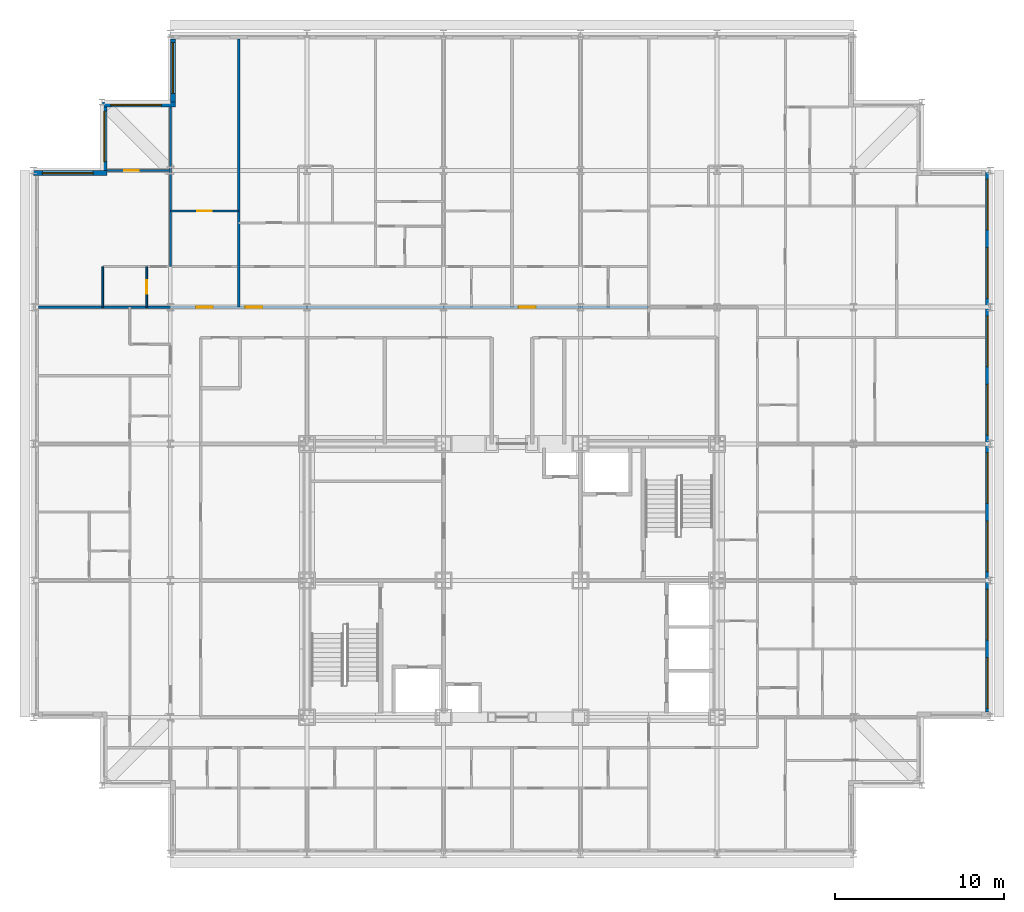
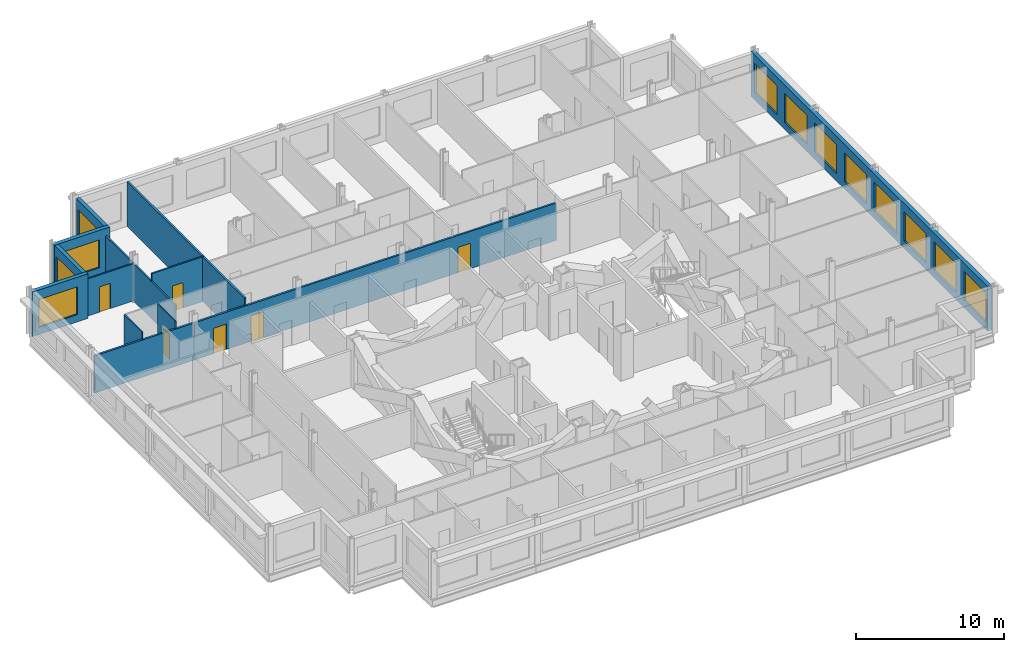
# One storey, part 12 of 16: 13 walls, 12 windows, 6 doors, 18 openings.
"""IFC4 building model written with IfcOpenShell, lengths in metres."""

import ifcopenshell
import ifcopenshell.guid

model = None  # the IFC model being written
_history = None  # IfcOwnerHistory: only IFC2X3 demands one
_inside = {}  # id of a spatial element -> (the spatial element, [elements in it])
_under = {}  # id of a project, library or spatial element -> (it, [spatial elements below it])
_declared = {}  # id of a project -> (the project, [libraries it declares])
_typed = {}  # id of a type object -> (the type object, [elements of that type])
_made_of = {}  # id of a material, layer set ... -> (it, [elements and type objects made of it])


def new_model(schema):
    """Start an empty IFC model of exactly this schema.

    Asked for "IFC4X3", IfcOpenShell would pick the latest addendum, in which some entities
    have other attributes; the version numbers below select the first issue.
    IFC2X3 requires an IfcOwnerHistory on every rooted entity: one is made here for all.
    """
    global model, _history
    if schema == "IFC4X3":
        model = ifcopenshell.file(schema_version=(4, 3, 0, 0))
    else:
        model = ifcopenshell.file(schema=schema)
    _inside.clear()
    _under.clear()
    _declared.clear()
    _typed.clear()
    _made_of.clear()
    _history = None
    if model.schema == "IFC2X3":
        org = make("IfcOrganization", Name="unknown")
        user = make(
            "IfcPersonAndOrganization",
            ThePerson=make("IfcPerson", FamilyName="unknown"),
            TheOrganization=org,
        )
        app = make(
            "IfcApplication",
            ApplicationDeveloper=org,
            Version="unknown",
            ApplicationFullName="unknown",
            ApplicationIdentifier="unknown",
        )
        _history = make(
            "IfcOwnerHistory",
            OwningUser=user,
            OwningApplication=app,
            ChangeAction="ADDED",
            CreationDate=0,
        )
    return model


def make(cls, **values):
    """One entity of the class cls with the attributes given. An attribute that is None is left unset."""
    return model.create_entity(
        cls, **{name: value for name, value in values.items() if value is not None}
    )


def rooted(cls, **values):
    """An entity with a GlobalId (a new one), such as an element, a storey or a relation."""
    return make(cls, GlobalId=ifcopenshell.guid.new(), OwnerHistory=_history, **values)


def si_unit(unit_type, name, prefix=None):
    """IfcSIUnit, for example si_unit("LENGTHUNIT", "METRE", prefix="MILLI")."""
    return make("IfcSIUnit", UnitType=unit_type, Prefix=prefix, Name=name)


def assignment(units):
    """IfcUnitAssignment: the units of a project."""
    return None if units is None else make("IfcUnitAssignment", Units=units)


def point(xyz):
    """IfcCartesianPoint."""
    return None if xyz is None else make("IfcCartesianPoint", Coordinates=xyz)


def direction(xyz):
    """IfcDirection."""
    return None if xyz is None else make("IfcDirection", DirectionRatios=xyz)


def frame(location, z_axis=None, x_axis=None):
    """IfcAxis2Placement3D, a coordinate frame: its origin and axes. An axis left out is left unset."""
    return make(
        "IfcAxis2Placement3D",
        Location=point(location),
        Axis=direction(z_axis),
        RefDirection=direction(x_axis),
    )


def frame_2d(location, x_axis=None):
    """IfcAxis2Placement2D, a coordinate frame in the plane: its origin and x axis."""
    return make(
        "IfcAxis2Placement2D", Location=point(location), RefDirection=direction(x_axis)
    )


def origin():
    """The frame at (0, 0, 0) with its axes left unset."""
    return frame((0.0, 0.0, 0.0))


def place(relative_to, where):
    """IfcLocalPlacement: puts the frame where relative to a parent placement (None: the world)."""
    return make(
        "IfcLocalPlacement", PlacementRelTo=relative_to, RelativePlacement=where
    )


def context(
    kind, dimensions, precision=None, world=None, true_north=None, identifier=None
):
    """IfcGeometricRepresentationContext, for example the 3D "Model" context."""
    return make(
        "IfcGeometricRepresentationContext",
        ContextIdentifier=identifier,
        ContextType=kind,
        CoordinateSpaceDimension=dimensions,
        Precision=precision,
        WorldCoordinateSystem=world,
        TrueNorth=true_north,
    )


def subcontext(parent, identifier, kind, view, scale=None):
    """IfcGeometricRepresentationSubContext, for example "Body" below "Model"."""
    return make(
        "IfcGeometricRepresentationSubContext",
        ContextIdentifier=identifier,
        ContextType=kind,
        ParentContext=parent,
        TargetScale=scale,
        TargetView=view,
    )


def project(units=None, contexts=None):
    """IfcProject with its units and contexts."""
    return rooted(
        "IfcProject",
        Name="project",
        RepresentationContexts=contexts,
        UnitsInContext=assignment(units),
    )


def spatial(cls, under=None, at=None, **own):
    """A site, building, storey or space (cls), placed at a placement, below another one or the project."""
    s = rooted(cls, ObjectPlacement=at, **own)
    if under is not None:
        _under.setdefault(under.id(), (under, []))[1].append(s)
    return s


def profile(cls, at=None, kind="AREA", **sizes):
    """A parametric profile (cls). Its sizes go by their IFC names, for example OverallWidth=200.0."""
    return make(cls, ProfileType=kind, Position=at, **sizes)


def rectangle(**sizes):
    """IfcRectangleProfileDef."""
    return profile("IfcRectangleProfileDef", **sizes)


def extrude(swept, where, along, depth):
    """IfcExtrudedAreaSolid: the profile swept, set in the frame where, extruded along a direction by depth."""
    return make(
        "IfcExtrudedAreaSolid",
        SweptArea=swept,
        Position=where,
        ExtrudedDirection=direction(along),
        Depth=depth,
    )


def shape(context_of_items, identifier, shape_type, items):
    """IfcShapeRepresentation: the items that make up one representation, for example the "Body"."""
    return make(
        "IfcShapeRepresentation",
        ContextOfItems=context_of_items,
        RepresentationIdentifier=identifier,
        RepresentationType=shape_type,
        Items=items,
    )


def material(Name=None, Category=None):
    """IfcMaterial."""
    return make("IfcMaterial", Name=Name, Category=Category)


def layer(
    of_material, thickness, ventilated=None, Name=None, Category=None, Priority=None
):
    """IfcMaterialLayer: one layer of a wall or slab, of a material (None: an air gap)."""
    return make(
        "IfcMaterialLayer",
        Material=of_material,
        LayerThickness=thickness,
        IsVentilated=ventilated,
        Name=Name,
        Category=Category,
        Priority=Priority,
    )


def layer_set(layers, Name=None):
    """IfcMaterialLayerSet."""
    return make("IfcMaterialLayerSet", MaterialLayers=layers, LayerSetName=Name)


def made_of(thing, what):
    """Note that an element or type object is made of a material, layer set ...; save() writes the relation."""
    if what is not None:
        _made_of.setdefault(what.id(), (what, []))[1].append(thing)
    return thing


def type_object(cls, material=None, **own):
    """A type object (cls), such as IfcWallType, which elements share."""
    return made_of(rooted(cls, **own), material)


def element(
    cls,
    number,
    at=None,
    inside=None,
    cuts=None,
    type_object=None,
    material=None,
    context=None,
    identifier="Body",
    shape_type=None,
    held_by="IfcProductDefinitionShape",
    body=None,
    shapes=None,
    **own,
):
    """One element of the class cls, such as IfcWall. Its Tag is "e" and its number.

    at: its placement. inside: the storey or other place that contains it. cuts: it is an
    opening in that element (IfcRelVoidsElement). A single representation is given by context,
    identifier, shape_type and body (its items); several are given by shapes. held_by: the class
    of the entity that holds the representations. save() writes the other relations.
    """
    e = rooted(cls, Tag="e%d" % number, ObjectPlacement=at, **own)
    if body is not None:
        shapes = [shape(context, identifier, shape_type, body)]
    if shapes is not None:
        e.Representation = make(held_by, Representations=shapes)
    if inside is not None:
        _inside.setdefault(inside.id(), (inside, []))[1].append(e)
    if cuts is not None:
        rooted(
            "IfcRelVoidsElement", RelatingBuildingElement=cuts, RelatedOpeningElement=e
        )
    if type_object is not None:
        _typed.setdefault(type_object.id(), (type_object, []))[1].append(e)
    return made_of(e, material)


def fill(opening, filler):
    """IfcRelFillsElement: the door or window that sits in an opening."""
    return rooted(
        "IfcRelFillsElement",
        RelatingOpeningElement=opening,
        RelatedBuildingElement=filler,
    )


def aggregate(whole, parts):
    """IfcRelAggregates: a whole, such as a stair, and the parts it consists of."""
    return rooted("IfcRelAggregates", RelatingObject=whole, RelatedObjects=parts)


def save(model, path):
    """Write the relations noted so far, then the file.

    IfcRelAggregates (storeys below a building ...), IfcRelContainedInSpatialStructure (elements
    in a storey), IfcRelDefinesByType, IfcRelAssociatesMaterial and IfcRelDeclares: one each for
    every whole, place, type object, material and project.
    """
    for whole, parts in _under.values():
        aggregate(whole, parts)
    for where, things in _inside.values():
        rooted(
            "IfcRelContainedInSpatialStructure",
            RelatedElements=things,
            RelatingStructure=where,
        )
    for kind, things in _typed.values():
        rooted("IfcRelDefinesByType", RelatedObjects=things, RelatingType=kind)
    for what, things in _made_of.values():
        rooted("IfcRelAssociatesMaterial", RelatedObjects=things, RelatingMaterial=what)
    for by, libraries in _declared.values():
        rooted("IfcRelDeclares", RelatingContext=by, RelatedDefinitions=libraries)
    model.write(path)


model = new_model("IFC4")

# Units and contexts
model_context = context("Model", 3, precision=1e-05, world=origin(), true_north=direction((0.0, 1.0)))
body_context = subcontext(model_context, "Body", "Model", "MODEL_VIEW")
ifc_project = project(units=[si_unit("LENGTHUNIT", "METRE"), si_unit("AREAUNIT", "SQUARE_METRE"), si_unit("VOLUMEUNIT", "CUBIC_METRE"), si_unit("PLANEANGLEUNIT", "RADIAN"), si_unit("MASSUNIT", "GRAM", prefix="KILO")], contexts=[model_context])

# Site, building, storey
site_placement = place(None, origin())
site = spatial("IfcSite", under=ifc_project, at=site_placement, CompositionType="ELEMENT")
building_placement = place(site_placement, origin())
building = spatial("IfcBuilding", under=site, at=building_placement, Name="Kopane Lantern Tower", CompositionType="ELEMENT")
storey_placement = place(building_placement, frame((0.0, 0.0, 258.0)))
storey = spatial("IfcBuildingStorey", under=building, at=storey_placement, Name="L66", CompositionType="ELEMENT", Elevation=258.0)

# Wall
ifc_material_1 = material(Name="Gypsum board on steel studs", Category="steel")
ifc_layer_1 = layer(ifc_material_1, 0.1201171875)
ifc_layer_set_1 = layer_set([ifc_layer_1], Name="APARTMENT INTERNAL WALL 120")
wall_type_1 = type_object("IfcWallType", Name="APARTMENT INTERNAL WALL 120", PredefinedType="PARTITIONING", material=ifc_layer_set_1)
wall_1_placement = place(storey_placement, frame((8.10009765625, 51.0, 0.0), z_axis=(0.0, 0.0, 1.0), x_axis=(0.0, 1.0, 0.0)))
element("IfcWall", 1, at=wall_1_placement, inside=storey, type_object=wall_type_1, Name="Apartment Internal Wall 120 L66", PredefinedType="PARTITIONING", context=body_context, shape_type="SweptSolid", body=[
    extrude(rectangle(XDim=9.449951171875, YDim=0.1201171875, at=frame_2d((4.72509765625, 0.0))), origin(), (0.0, 0.0, 1.0), 3.077880859375),
])

# Wall, opening, door
wall_2_placement = place(storey_placement, frame((8.10009765625, 56.699951171875, 0.0), z_axis=(0.0, 0.0, 1.0), x_axis=(-1.0, 0.0, 0.0)))
wall_2 = element("IfcWall", 2, at=wall_2_placement, inside=storey, type_object=wall_type_1, Name="Apartment Internal Wall 120 L66", PredefinedType="PARTITIONING", context=body_context, shape_type="SweptSolid", body=[
    extrude(rectangle(XDim=3.75, YDim=0.1201171875, at=frame_2d((1.875, 0.0))), origin(), (0.0, 0.0, 1.0), 3.077880859375),
])
opening_1_placement = place(wall_2_placement, frame((1.875, 0.0, 0.0)))
opening_1 = element("IfcOpeningElement", 3, at=opening_1_placement, cuts=wall_2, Name="Opening L66-047", PredefinedType="OPENING", context=body_context, shape_type="SweptSolid", body=[
    extrude(rectangle(XDim=0.85009765625, YDim=2.10009765625, at=frame_2d((0.425048828125, 1.050048828125))), frame((0.0, 0.070068359375, 0.0), z_axis=(0.0, -1.0, 0.0), x_axis=(1.0, 0.0, 0.0)), (0.0, 0.0, 1.0), 0.14013671875),
])
ifc_material_2 = material(Name="Timber door set", Category="wood")
door_type_1 = type_object("IfcDoorType", Name="DOOR D4 850x2100", OperationType="SINGLE_SWING_LEFT", PredefinedType="DOOR", material=ifc_material_2)
door_1_placement = place(opening_1_placement, origin())
door_1 = element("IfcDoor", 4, at=door_1_placement, inside=storey, type_object=door_type_1, Name="Door L66-047", OperationType="SINGLE_SWING_LEFT", OverallHeight=2.10009765625, OverallWidth=0.85009765625, PredefinedType="DOOR", context=body_context, shape_type="SweptSolid", body=[
    extrude(rectangle(XDim=0.85009765625, YDim=2.10009765625, at=frame_2d((0.425048828125, 1.050048828125))), frame((0.0, 0.02490234375, 0.0), z_axis=(0.0, -1.0, 0.0), x_axis=(1.0, 0.0, 0.0)), (0.0, 0.0, 1.0), 0.050048828125),
])
fill(opening_1, door_1)

wall_3_placement = place(storey_placement, frame((8.10009765625, 54.300048828125, 0.0), z_axis=(0.0, 0.0, 1.0), x_axis=(1.0, 0.0, 0.0)))
wall_3 = element("IfcWall", 5, at=wall_3_placement, inside=storey, type_object=wall_type_1, Name="Apartment Internal Wall 120 L66", PredefinedType="PARTITIONING", context=body_context, shape_type="SweptSolid", body=[
    extrude(rectangle(XDim=4.0498046875, YDim=0.1201171875, at=frame_2d((2.02490234375, 0.0))), origin(), (0.0, 0.0, 1.0), 3.68994140625),
])
opening_2_placement = place(wall_3_placement, frame((1.60009765625, 0.0, 0.0)))
opening_2 = element("IfcOpeningElement", 6, at=opening_2_placement, cuts=wall_3, Name="Opening L66-075", PredefinedType="OPENING", context=body_context, shape_type="SweptSolid", body=[
    extrude(rectangle(XDim=0.85009765625, YDim=2.10009765625, at=frame_2d((0.425048828125, 1.050048828125))), frame((0.0, 0.070068359375, 0.0), z_axis=(0.0, -1.0, 0.0), x_axis=(1.0, 0.0, 0.0)), (0.0, 0.0, 1.0), 0.14013671875),
])
door_2_placement = place(opening_2_placement, origin())
door_2 = element("IfcDoor", 7, at=door_2_placement, inside=storey, type_object=door_type_1, Name="Door L66-075", OperationType="SINGLE_SWING_RIGHT", OverallHeight=2.10009765625, OverallWidth=0.85009765625, PredefinedType="DOOR", context=body_context, shape_type="SweptSolid", body=[
    extrude(rectangle(XDim=0.85009765625, YDim=2.10009765625, at=frame_2d((0.425048828125, 1.050048828125))), frame((0.0, 0.02490234375, 0.0), z_axis=(0.0, -1.0, 0.0), x_axis=(1.0, 0.0, 0.0)), (0.0, 0.0, 1.0), 0.050048828125),
])
fill(opening_2, door_2)

ifc_material_3 = material(Name="Moisture-resistant board on steel studs", Category="steel")
ifc_layer_2 = layer(ifc_material_3, 0.10009765625)
ifc_layer_set_2 = layer_set([ifc_layer_2], Name="BATHROOM WALL 100")
wall_type_2 = type_object("IfcWallType", Name="BATHROOM WALL 100", PredefinedType="PARTITIONING", material=ifc_layer_set_2)
wall_4_placement = place(storey_placement, frame((6.699951171875, 48.60009765625, 0.0), z_axis=(0.0, 0.0, 1.0), x_axis=(0.0, 1.0, 0.0)))
wall_4 = element("IfcWall", 8, at=wall_4_placement, inside=storey, type_object=wall_type_2, Name="Bathroom Wall 100 L66", PredefinedType="PARTITIONING", context=body_context, shape_type="SweptSolid", body=[
    extrude(rectangle(XDim=2.39990234375, YDim=0.10009765625, at=frame_2d((1.199951171875, 0.0))), origin(), (0.0, 0.0, 1.0), 3.68994140625),
])
opening_3_placement = place(wall_4_placement, frame((0.800048828125, 0.0, 0.0)))
opening_3 = element("IfcOpeningElement", 9, at=opening_3_placement, cuts=wall_4, Name="Opening L66-045", PredefinedType="OPENING", context=body_context, shape_type="SweptSolid", body=[
    extrude(rectangle(XDim=0.800048828125, YDim=2.10009765625, at=frame_2d((0.39990234375, 1.050048828125))), frame((0.0, 0.06005859375, 0.0), z_axis=(0.0, -1.0, 0.0), x_axis=(1.0, 0.0, 0.0)), (0.0, 0.0, 1.0), 0.1201171875),
])
ifc_material_4 = material(Name="Timber door set", Category="wood")
door_type_2 = type_object("IfcDoorType", Name="DOOR D2 800x2100", OperationType="SINGLE_SWING_LEFT", PredefinedType="DOOR", material=ifc_material_4)
door_3_placement = place(opening_3_placement, origin())
door_3 = element("IfcDoor", 10, at=door_3_placement, inside=storey, type_object=door_type_2, Name="Door L66-045", OperationType="SINGLE_SWING_LEFT", OverallHeight=2.10009765625, OverallWidth=0.800048828125, PredefinedType="DOOR", context=body_context, shape_type="SweptSolid", body=[
    extrude(rectangle(XDim=0.800048828125, YDim=2.10009765625, at=frame_2d((0.39990234375, 1.050048828125))), frame((0.0, 0.02490234375, 0.0), z_axis=(0.0, -1.0, 0.0), x_axis=(1.0, 0.0, 0.0)), (0.0, 0.0, 1.0), 0.050048828125),
])
fill(opening_3, door_3)

# Wall
wall_5_placement = place(storey_placement, frame((4.10009765625, 48.60009765625, 0.0), z_axis=(0.0, 0.0, 1.0), x_axis=(0.0, 1.0, 0.0)))
element("IfcWall", 11, at=wall_5_placement, inside=storey, type_object=wall_type_2, Name="Bathroom Wall 100 L66", PredefinedType="PARTITIONING", context=body_context, shape_type="SweptSolid", body=[
    extrude(rectangle(XDim=2.39990234375, YDim=0.10009765625, at=frame_2d((1.199951171875, 0.0))), origin(), (0.0, 0.0, 1.0), 3.68994140625),
])

# Wall, openings, doors
ifc_material_5 = material(Name="Gypsum board on steel studs", Category="steel")
ifc_layer_3 = layer(ifc_material_5, 0.14990234375)
ifc_layer_set_3 = layer_set([ifc_layer_3], Name="CORRIDOR WALL 150 EI 60")
wall_type_3 = type_object("IfcWallType", Name="CORRIDOR WALL 150 EI 60", PredefinedType="PARTITIONING", material=ifc_layer_set_3)
wall_6_placement = place(storey_placement, frame((8.10009765625, 48.60009765625, 0.0), z_axis=(0.0, 0.0, 1.0), x_axis=(1.0, 0.0, 0.0)))
wall_6 = element("IfcWall", 12, at=wall_6_placement, inside=storey, type_object=wall_type_3, Name="Corridor Wall 150 Ei 60 L66", PredefinedType="PARTITIONING", context=body_context, shape_type="SweptSolid", body=[
    extrude(rectangle(XDim=28.349853515625, YDim=0.14990234375, at=frame_2d((14.1748046875, 0.0))), origin(), (0.0, 0.0, 1.0), 3.077880859375),
])
opening_4_placement = place(wall_6_placement, frame((4.449951171875, 0.0, 0.0)))
opening_4 = element("IfcOpeningElement", 13, at=opening_4_placement, cuts=wall_6, Name="Opening L66-022", PredefinedType="OPENING", context=body_context, shape_type="SweptSolid", body=[
    extrude(rectangle(XDim=1.0, YDim=2.10009765625, at=frame_2d((0.5, 1.050048828125))), frame((0.0, 0.0849609375, 0.0), z_axis=(0.0, -1.0, 0.0), x_axis=(1.0, 0.0, 0.0)), (0.0, 0.0, 1.0), 0.169921875),
])
opening_5_placement = place(wall_6_placement, frame((20.64990234375, 0.0, 0.0)))
opening_5 = element("IfcOpeningElement", 14, at=opening_5_placement, cuts=wall_6, Name="Opening L66-028", PredefinedType="OPENING", context=body_context, shape_type="SweptSolid", body=[
    extrude(rectangle(XDim=1.0, YDim=2.10009765625, at=frame_2d((0.5, 1.050048828125))), frame((0.0, 0.0849609375, 0.0), z_axis=(0.0, -1.0, 0.0), x_axis=(1.0, 0.0, 0.0)), (0.0, 0.0, 1.0), 0.169921875),
])
opening_6_placement = place(wall_6_placement, frame((1.52490234375, 0.0, 0.0)))
opening_6 = element("IfcOpeningElement", 15, at=opening_6_placement, cuts=wall_6, Name="Opening L66-043", PredefinedType="OPENING", context=body_context, shape_type="SweptSolid", body=[
    extrude(rectangle(XDim=1.0, YDim=2.10009765625, at=frame_2d((0.5, 1.050048828125))), frame((0.0, 0.0849609375, 0.0), z_axis=(0.0, -1.0, 0.0), x_axis=(1.0, 0.0, 0.0)), (0.0, 0.0, 1.0), 0.169921875),
])
ifc_material_6 = material(Name="Steel door set", Category="steel")
door_type_3 = type_object("IfcDoorType", Name="DOOR D3 1000x2100 FD30S", OperationType="SINGLE_SWING_LEFT", PredefinedType="DOOR", material=ifc_material_6)
door_4_placement = place(opening_4_placement, origin())
door_4 = element("IfcDoor", 16, at=door_4_placement, inside=storey, type_object=door_type_3, Name="Door L66-022", OperationType="SINGLE_SWING_LEFT", OverallHeight=2.10009765625, OverallWidth=1.0, PredefinedType="DOOR", context=body_context, shape_type="SweptSolid", body=[
    extrude(rectangle(XDim=1.0, YDim=2.10009765625, at=frame_2d((0.5, 1.050048828125))), frame((0.0, 0.02490234375, 0.0), z_axis=(0.0, -1.0, 0.0), x_axis=(1.0, 0.0, 0.0)), (0.0, 0.0, 1.0), 0.050048828125),
])
fill(opening_4, door_4)
door_5_placement = place(opening_5_placement, origin())
door_5 = element("IfcDoor", 17, at=door_5_placement, inside=storey, type_object=door_type_3, Name="Door L66-028", OperationType="SINGLE_SWING_LEFT", OverallHeight=2.10009765625, OverallWidth=1.0, PredefinedType="DOOR", context=body_context, shape_type="SweptSolid", body=[
    extrude(rectangle(XDim=1.0, YDim=2.10009765625, at=frame_2d((0.5, 1.050048828125))), frame((0.0, 0.02490234375, 0.0), z_axis=(0.0, -1.0, 0.0), x_axis=(1.0, 0.0, 0.0)), (0.0, 0.0, 1.0), 0.050048828125),
])
fill(opening_5, door_5)
door_6_placement = place(opening_6_placement, origin())
door_6 = element("IfcDoor", 18, at=door_6_placement, inside=storey, type_object=door_type_3, Name="Door L66-043", OperationType="SINGLE_SWING_RIGHT", OverallHeight=2.10009765625, OverallWidth=1.0, PredefinedType="DOOR", context=body_context, shape_type="SweptSolid", body=[
    extrude(rectangle(XDim=1.0, YDim=2.10009765625, at=frame_2d((0.5, 1.050048828125))), frame((0.0, 0.02490234375, 0.0), z_axis=(0.0, -1.0, 0.0), x_axis=(1.0, 0.0, 0.0)), (0.0, 0.0, 1.0), 0.050048828125),
])
fill(opening_6, door_6)

# Walls
ifc_material_7 = material(Name="Gypsum board on steel studs", Category="steel")
ifc_layer_4 = layer(ifc_material_7, 0.14990234375)
ifc_layer_set_4 = layer_set([ifc_layer_4], Name="DEMISING WALL 150 EI 60")
wall_type_4 = type_object("IfcWallType", Name="DEMISING WALL 150 EI 60", PredefinedType="PARTITIONING", material=ifc_layer_set_4)
wall_7_placement = place(storey_placement, frame((0.300048828125, 48.60009765625, 0.0), z_axis=(0.0, 0.0, 1.0), x_axis=(1.0, 0.0, 0.0)))
element("IfcWall", 19, at=wall_7_placement, inside=storey, type_object=wall_type_4, Name="Demising Wall 150 Ei 60 L66", PredefinedType="PARTITIONING", context=body_context, shape_type="SweptSolid", body=[
    extrude(rectangle(XDim=7.800048828125, YDim=0.14990234375, at=frame_2d((3.89990234375, 0.0))), origin(), (0.0, 0.0, 1.0), 3.077880859375),
])
wall_8_placement = place(storey_placement, frame((12.14990234375, 48.60009765625, 0.0), z_axis=(0.0, 0.0, 1.0), x_axis=(0.0, 1.0, 0.0)))
element("IfcWall", 20, at=wall_8_placement, inside=storey, type_object=wall_type_4, Name="Demising Wall 150 Ei 60 L66", PredefinedType="PARTITIONING", context=body_context, shape_type="SweptSolid", body=[
    extrude(rectangle(XDim=15.89990234375, YDim=0.14990234375, at=frame_2d((7.949951171875, 0.0))), origin(), (0.0, 0.0, 1.0), 3.68994140625),
])

# Wall, openings, windows
ifc_material_8 = material(Name="Terracotta rainscreen on light steel framing", Category="masonry")
ifc_layer_5 = layer(ifc_material_8, 0.300048828125)
ifc_layer_set_5 = layer_set([ifc_layer_5], Name="EXTERNAL WALL EW1 300 TERRACOTTA")
wall_type_5 = type_object("IfcWallType", Name="EXTERNAL WALL EW1 300 TERRACOTTA", PredefinedType="SOLIDWALL", material=ifc_layer_set_5)
wall_9_placement = place(storey_placement, frame((56.550048828125, 24.60009765625, 0.0), z_axis=(0.0, 0.0, 1.0), x_axis=(0.0, 1.0, 0.0)))
wall_9 = element("IfcWall", 21, at=wall_9_placement, inside=storey, type_object=wall_type_5, Name="External wall E L66", PredefinedType="SOLIDWALL", context=body_context, shape_type="SweptSolid", body=[
    extrude(rectangle(XDim=32.099853515625, YDim=0.300048828125, at=frame_2d((16.0498046875, 0.0))), origin(), (0.0, 0.0, 1.0), 3.68994140625),
])
opening_7_placement = place(wall_9_placement, frame((0.22509765625, 0.0, 0.60009765625)))
opening_7 = element("IfcOpeningElement", 22, at=opening_7_placement, cuts=wall_9, Name="Opening WR300240", PredefinedType="OPENING", context=body_context, shape_type="SweptSolid", body=[
    extrude(rectangle(XDim=3.0, YDim=2.39990234375, at=frame_2d((1.5, 1.199951171875))), frame((0.0, 0.159912109375, 0.0), z_axis=(0.0, -1.0, 0.0), x_axis=(1.0, 0.0, 0.0)), (0.0, 0.0, 1.0), 0.320068359375),
])
opening_8_placement = place(wall_9_placement, frame((4.27490234375, 0.0, 0.60009765625)))
opening_8 = element("IfcOpeningElement", 23, at=opening_8_placement, cuts=wall_9, Name="Opening WR300240", PredefinedType="OPENING", context=body_context, shape_type="SweptSolid", body=[
    extrude(rectangle(XDim=3.0, YDim=2.39990234375, at=frame_2d((1.5, 1.199951171875))), frame((0.0, 0.159912109375, 0.0), z_axis=(0.0, -1.0, 0.0), x_axis=(1.0, 0.0, 0.0)), (0.0, 0.0, 1.0), 0.320068359375),
])
opening_9_placement = place(wall_9_placement, frame((8.324951171875, 0.0, 0.60009765625)))
opening_9 = element("IfcOpeningElement", 24, at=opening_9_placement, cuts=wall_9, Name="Opening WR300240", PredefinedType="OPENING", context=body_context, shape_type="SweptSolid", body=[
    extrude(rectangle(XDim=3.0, YDim=2.39990234375, at=frame_2d((1.5, 1.199951171875))), frame((0.0, 0.159912109375, 0.0), z_axis=(0.0, -1.0, 0.0), x_axis=(1.0, 0.0, 0.0)), (0.0, 0.0, 1.0), 0.320068359375),
])
opening_10_placement = place(wall_9_placement, frame((12.375, 0.0, 0.60009765625)))
opening_10 = element("IfcOpeningElement", 25, at=opening_10_placement, cuts=wall_9, Name="Opening WR300240", PredefinedType="OPENING", context=body_context, shape_type="SweptSolid", body=[
    extrude(rectangle(XDim=3.0, YDim=2.39990234375, at=frame_2d((1.5, 1.199951171875))), frame((0.0, 0.159912109375, 0.0), z_axis=(0.0, -1.0, 0.0), x_axis=(1.0, 0.0, 0.0)), (0.0, 0.0, 1.0), 0.320068359375),
])
opening_11_placement = place(wall_9_placement, frame((16.425048828125, 0.0, 0.60009765625)))
opening_11 = element("IfcOpeningElement", 26, at=opening_11_placement, cuts=wall_9, Name="Opening WR300240", PredefinedType="OPENING", context=body_context, shape_type="SweptSolid", body=[
    extrude(rectangle(XDim=3.0, YDim=2.39990234375, at=frame_2d((1.5, 1.199951171875))), frame((0.0, 0.159912109375, 0.0), z_axis=(0.0, -1.0, 0.0), x_axis=(1.0, 0.0, 0.0)), (0.0, 0.0, 1.0), 0.320068359375),
])
opening_12_placement = place(wall_9_placement, frame((20.47509765625, 0.0, 0.60009765625)))
opening_12 = element("IfcOpeningElement", 27, at=opening_12_placement, cuts=wall_9, Name="Opening WR300240", PredefinedType="OPENING", context=body_context, shape_type="SweptSolid", body=[
    extrude(rectangle(XDim=3.0, YDim=2.39990234375, at=frame_2d((1.5, 1.199951171875))), frame((0.0, 0.159912109375, 0.0), z_axis=(0.0, -1.0, 0.0), x_axis=(1.0, 0.0, 0.0)), (0.0, 0.0, 1.0), 0.320068359375),
])
opening_13_placement = place(wall_9_placement, frame((24.52490234375, 0.0, 0.60009765625)))
opening_13 = element("IfcOpeningElement", 28, at=opening_13_placement, cuts=wall_9, Name="Opening WR300240", PredefinedType="OPENING", context=body_context, shape_type="SweptSolid", body=[
    extrude(rectangle(XDim=3.0, YDim=2.39990234375, at=frame_2d((1.5, 1.199951171875))), frame((0.0, 0.159912109375, 0.0), z_axis=(0.0, -1.0, 0.0), x_axis=(1.0, 0.0, 0.0)), (0.0, 0.0, 1.0), 0.320068359375),
])
opening_14_placement = place(wall_9_placement, frame((28.574951171875, 0.0, 0.60009765625)))
opening_14 = element("IfcOpeningElement", 29, at=opening_14_placement, cuts=wall_9, Name="Opening WR300240", PredefinedType="OPENING", context=body_context, shape_type="SweptSolid", body=[
    extrude(rectangle(XDim=3.0, YDim=2.39990234375, at=frame_2d((1.5, 1.199951171875))), frame((0.0, 0.159912109375, 0.0), z_axis=(0.0, -1.0, 0.0), x_axis=(1.0, 0.0, 0.0)), (0.0, 0.0, 1.0), 0.320068359375),
])
ifc_material_9 = material(Name="Aluminium and clear glass", Category="aluminium")
window_type_1 = type_object("IfcWindowType", Name="RIBBON WINDOW WR300240 3000x2400", PartitioningType="SINGLE_PANEL", PredefinedType="WINDOW", material=ifc_material_9)
window_1_placement = place(opening_7_placement, origin())
window_1 = element("IfcWindow", 30, at=window_1_placement, inside=storey, type_object=window_type_1, Name="Window E L66", OverallHeight=2.39990234375, OverallWidth=3.0, PartitioningType="SINGLE_PANEL", PredefinedType="WINDOW", context=body_context, shape_type="SweptSolid", body=[
    extrude(rectangle(XDim=3.0, YDim=2.39990234375, at=frame_2d((1.5, 1.199951171875))), frame((0.0, 0.030029296875, 0.0), z_axis=(0.0, -1.0, 0.0), x_axis=(1.0, 0.0, 0.0)), (0.0, 0.0, 1.0), 0.06005859375),
])
fill(opening_7, window_1)
window_2_placement = place(opening_8_placement, origin())
window_2 = element("IfcWindow", 31, at=window_2_placement, inside=storey, type_object=window_type_1, Name="Window E L66", OverallHeight=2.39990234375, OverallWidth=3.0, PartitioningType="SINGLE_PANEL", PredefinedType="WINDOW", context=body_context, shape_type="SweptSolid", body=[
    extrude(rectangle(XDim=3.0, YDim=2.39990234375, at=frame_2d((1.5, 1.199951171875))), frame((0.0, 0.030029296875, 0.0), z_axis=(0.0, -1.0, 0.0), x_axis=(1.0, 0.0, 0.0)), (0.0, 0.0, 1.0), 0.06005859375),
])
fill(opening_8, window_2)
window_3_placement = place(opening_9_placement, origin())
window_3 = element("IfcWindow", 32, at=window_3_placement, inside=storey, type_object=window_type_1, Name="Window E L66", OverallHeight=2.39990234375, OverallWidth=3.0, PartitioningType="SINGLE_PANEL", PredefinedType="WINDOW", context=body_context, shape_type="SweptSolid", body=[
    extrude(rectangle(XDim=3.0, YDim=2.39990234375, at=frame_2d((1.5, 1.199951171875))), frame((0.0, 0.030029296875, 0.0), z_axis=(0.0, -1.0, 0.0), x_axis=(1.0, 0.0, 0.0)), (0.0, 0.0, 1.0), 0.06005859375),
])
fill(opening_9, window_3)
window_4_placement = place(opening_10_placement, origin())
window_4 = element("IfcWindow", 33, at=window_4_placement, inside=storey, type_object=window_type_1, Name="Window E L66", OverallHeight=2.39990234375, OverallWidth=3.0, PartitioningType="SINGLE_PANEL", PredefinedType="WINDOW", context=body_context, shape_type="SweptSolid", body=[
    extrude(rectangle(XDim=3.0, YDim=2.39990234375, at=frame_2d((1.5, 1.199951171875))), frame((0.0, 0.030029296875, 0.0), z_axis=(0.0, -1.0, 0.0), x_axis=(1.0, 0.0, 0.0)), (0.0, 0.0, 1.0), 0.06005859375),
])
fill(opening_10, window_4)
window_5_placement = place(opening_11_placement, origin())
window_5 = element("IfcWindow", 34, at=window_5_placement, inside=storey, type_object=window_type_1, Name="Window E L66", OverallHeight=2.39990234375, OverallWidth=3.0, PartitioningType="SINGLE_PANEL", PredefinedType="WINDOW", context=body_context, shape_type="SweptSolid", body=[
    extrude(rectangle(XDim=3.0, YDim=2.39990234375, at=frame_2d((1.5, 1.199951171875))), frame((0.0, 0.030029296875, 0.0), z_axis=(0.0, -1.0, 0.0), x_axis=(1.0, 0.0, 0.0)), (0.0, 0.0, 1.0), 0.06005859375),
])
fill(opening_11, window_5)
window_6_placement = place(opening_12_placement, origin())
window_6 = element("IfcWindow", 35, at=window_6_placement, inside=storey, type_object=window_type_1, Name="Window E L66", OverallHeight=2.39990234375, OverallWidth=3.0, PartitioningType="SINGLE_PANEL", PredefinedType="WINDOW", context=body_context, shape_type="SweptSolid", body=[
    extrude(rectangle(XDim=3.0, YDim=2.39990234375, at=frame_2d((1.5, 1.199951171875))), frame((0.0, 0.030029296875, 0.0), z_axis=(0.0, -1.0, 0.0), x_axis=(1.0, 0.0, 0.0)), (0.0, 0.0, 1.0), 0.06005859375),
])
fill(opening_12, window_6)
window_7_placement = place(opening_13_placement, origin())
window_7 = element("IfcWindow", 36, at=window_7_placement, inside=storey, type_object=window_type_1, Name="Window E L66", OverallHeight=2.39990234375, OverallWidth=3.0, PartitioningType="SINGLE_PANEL", PredefinedType="WINDOW", context=body_context, shape_type="SweptSolid", body=[
    extrude(rectangle(XDim=3.0, YDim=2.39990234375, at=frame_2d((1.5, 1.199951171875))), frame((0.0, 0.030029296875, 0.0), z_axis=(0.0, -1.0, 0.0), x_axis=(1.0, 0.0, 0.0)), (0.0, 0.0, 1.0), 0.06005859375),
])
fill(opening_13, window_7)
window_8_placement = place(opening_14_placement, origin())
window_8 = element("IfcWindow", 37, at=window_8_placement, inside=storey, type_object=window_type_1, Name="Window E L66", OverallHeight=2.39990234375, OverallWidth=3.0, PartitioningType="SINGLE_PANEL", PredefinedType="WINDOW", context=body_context, shape_type="SweptSolid", body=[
    extrude(rectangle(XDim=3.0, YDim=2.39990234375, at=frame_2d((1.5, 1.199951171875))), frame((0.0, 0.030029296875, 0.0), z_axis=(0.0, -1.0, 0.0), x_axis=(1.0, 0.0, 0.0)), (0.0, 0.0, 1.0), 0.06005859375),
])
fill(opening_14, window_8)

# Wall, opening, window
wall_10_placement = place(storey_placement, frame((8.25, 64.5, 0.0), z_axis=(0.0, 0.0, 1.0), x_axis=(0.0, -1.0, 0.0)))
wall_10 = element("IfcWall", 38, at=wall_10_placement, inside=storey, type_object=wall_type_5, Name="External wall W L66", PredefinedType="SOLIDWALL", context=body_context, shape_type="SweptSolid", body=[
    extrude(rectangle(XDim=3.75, YDim=0.300048828125, at=frame_2d((1.875, 0.0))), origin(), (0.0, 0.0, 1.0), 3.68994140625),
])
opening_15_placement = place(wall_10_placement, frame((0.22509765625, 0.0, 0.60009765625)))
opening_15 = element("IfcOpeningElement", 39, at=opening_15_placement, cuts=wall_10, Name="Opening WR300230", PredefinedType="OPENING", context=body_context, shape_type="SweptSolid", body=[
    extrude(rectangle(XDim=3.0, YDim=2.300048828125, at=frame_2d((1.5, 1.14990234375))), frame((0.0, 0.159912109375, 0.0), z_axis=(0.0, -1.0, 0.0), x_axis=(1.0, 0.0, 0.0)), (0.0, 0.0, 1.0), 0.320068359375),
])
ifc_material_10 = material(Name="Aluminium and clear glass", Category="aluminium")
window_type_2 = type_object("IfcWindowType", Name="RIBBON WINDOW WR300230 3000x2300", PartitioningType="SINGLE_PANEL", PredefinedType="WINDOW", material=ifc_material_10)
window_9_placement = place(opening_15_placement, origin())
window_9 = element("IfcWindow", 40, at=window_9_placement, inside=storey, type_object=window_type_2, Name="Window W L66", OverallHeight=2.300048828125, OverallWidth=3.0, PartitioningType="SINGLE_PANEL", PredefinedType="WINDOW", context=body_context, shape_type="SweptSolid", body=[
    extrude(rectangle(XDim=3.0, YDim=2.300048828125, at=frame_2d((1.5, 1.14990234375))), frame((0.0, 0.030029296875, 0.0), z_axis=(0.0, -1.0, 0.0), x_axis=(1.0, 0.0, 0.0)), (0.0, 0.0, 1.0), 0.06005859375),
])
fill(opening_15, window_9)

wall_11_placement = place(storey_placement, frame((8.39990234375, 60.60009765625, 0.0), z_axis=(0.0, 0.0, 1.0), x_axis=(-1.0, 0.0, 0.0)))
wall_11 = element("IfcWall", 41, at=wall_11_placement, inside=storey, type_object=wall_type_5, Name="External wall N L66", PredefinedType="SOLIDWALL", context=body_context, shape_type="SweptSolid", body=[
    extrude(rectangle(XDim=4.349853515625, YDim=0.300048828125, at=frame_2d((2.1748046875, 0.0))), origin(), (0.0, 0.0, 1.0), 3.68994140625),
])
opening_16_placement = place(wall_11_placement, frame((0.824951171875, 0.0, 0.60009765625)))
opening_16 = element("IfcOpeningElement", 42, at=opening_16_placement, cuts=wall_11, Name="Opening WR300230", PredefinedType="OPENING", context=body_context, shape_type="SweptSolid", body=[
    extrude(rectangle(XDim=3.0, YDim=2.300048828125, at=frame_2d((1.5, 1.14990234375))), frame((0.0, 0.159912109375, 0.0), z_axis=(0.0, -1.0, 0.0), x_axis=(1.0, 0.0, 0.0)), (0.0, 0.0, 1.0), 0.320068359375),
])
window_10_placement = place(opening_16_placement, origin())
window_10 = element("IfcWindow", 43, at=window_10_placement, inside=storey, type_object=window_type_2, Name="Window N L66", OverallHeight=2.300048828125, OverallWidth=3.0, PartitioningType="SINGLE_PANEL", PredefinedType="WINDOW", context=body_context, shape_type="SweptSolid", body=[
    extrude(rectangle(XDim=3.0, YDim=2.300048828125, at=frame_2d((1.5, 1.14990234375))), frame((0.0, 0.030029296875, 0.0), z_axis=(0.0, -1.0, 0.0), x_axis=(1.0, 0.0, 0.0)), (0.0, 0.0, 1.0), 0.06005859375),
])
fill(opening_16, window_10)

wall_12_placement = place(storey_placement, frame((4.199951171875, 60.449951171875, 0.0), z_axis=(0.0, 0.0, 1.0), x_axis=(0.0, -1.0, 0.0)))
wall_12 = element("IfcWall", 44, at=wall_12_placement, inside=storey, type_object=wall_type_5, Name="External wall W L66", PredefinedType="SOLIDWALL", context=body_context, shape_type="SweptSolid", body=[
    extrude(rectangle(XDim=3.75, YDim=0.300048828125, at=frame_2d((1.875, 0.0))), origin(), (0.0, 0.0, 1.0), 3.68994140625),
])
opening_17_placement = place(wall_12_placement, frame((0.22509765625, 0.0, 0.60009765625)))
opening_17 = element("IfcOpeningElement", 45, at=opening_17_placement, cuts=wall_12, Name="Opening WR300230", PredefinedType="OPENING", context=body_context, shape_type="SweptSolid", body=[
    extrude(rectangle(XDim=3.0, YDim=2.300048828125, at=frame_2d((1.5, 1.14990234375))), frame((0.0, 0.159912109375, 0.0), z_axis=(0.0, -1.0, 0.0), x_axis=(1.0, 0.0, 0.0)), (0.0, 0.0, 1.0), 0.320068359375),
])
window_11_placement = place(opening_17_placement, origin())
window_11 = element("IfcWindow", 46, at=window_11_placement, inside=storey, type_object=window_type_2, Name="Window W L66", OverallHeight=2.300048828125, OverallWidth=3.0, PartitioningType="SINGLE_PANEL", PredefinedType="WINDOW", context=body_context, shape_type="SweptSolid", body=[
    extrude(rectangle(XDim=3.0, YDim=2.300048828125, at=frame_2d((1.5, 1.14990234375))), frame((0.0, 0.030029296875, 0.0), z_axis=(0.0, -1.0, 0.0), x_axis=(1.0, 0.0, 0.0)), (0.0, 0.0, 1.0), 0.06005859375),
])
fill(opening_17, window_11)

wall_13_placement = place(storey_placement, frame((4.35009765625, 56.550048828125, 0.0), z_axis=(0.0, 0.0, 1.0), x_axis=(-1.0, 0.0, 0.0)))
wall_13 = element("IfcWall", 47, at=wall_13_placement, inside=storey, type_object=wall_type_5, Name="External wall N L66", PredefinedType="SOLIDWALL", context=body_context, shape_type="SweptSolid", body=[
    extrude(rectangle(XDim=4.35009765625, YDim=0.300048828125, at=frame_2d((2.175048828125, 0.0))), origin(), (0.0, 0.0, 1.0), 3.68994140625),
])
opening_18_placement = place(wall_13_placement, frame((0.824951171875, 0.0, 0.60009765625)))
opening_18 = element("IfcOpeningElement", 48, at=opening_18_placement, cuts=wall_13, Name="Opening WR300230", PredefinedType="OPENING", context=body_context, shape_type="SweptSolid", body=[
    extrude(rectangle(XDim=3.0, YDim=2.300048828125, at=frame_2d((1.5, 1.14990234375))), frame((0.0, 0.159912109375, 0.0), z_axis=(0.0, -1.0, 0.0), x_axis=(1.0, 0.0, 0.0)), (0.0, 0.0, 1.0), 0.320068359375),
])
window_12_placement = place(opening_18_placement, origin())
window_12 = element("IfcWindow", 49, at=window_12_placement, inside=storey, type_object=window_type_2, Name="Window N L66", OverallHeight=2.300048828125, OverallWidth=3.0, PartitioningType="SINGLE_PANEL", PredefinedType="WINDOW", context=body_context, shape_type="SweptSolid", body=[
    extrude(rectangle(XDim=3.0, YDim=2.300048828125, at=frame_2d((1.5, 1.14990234375))), frame((0.0, 0.030029296875, 0.0), z_axis=(0.0, -1.0, 0.0), x_axis=(1.0, 0.0, 0.0)), (0.0, 0.0, 1.0), 0.06005859375),
])
fill(opening_18, window_12)

save(model, "model.ifc")
